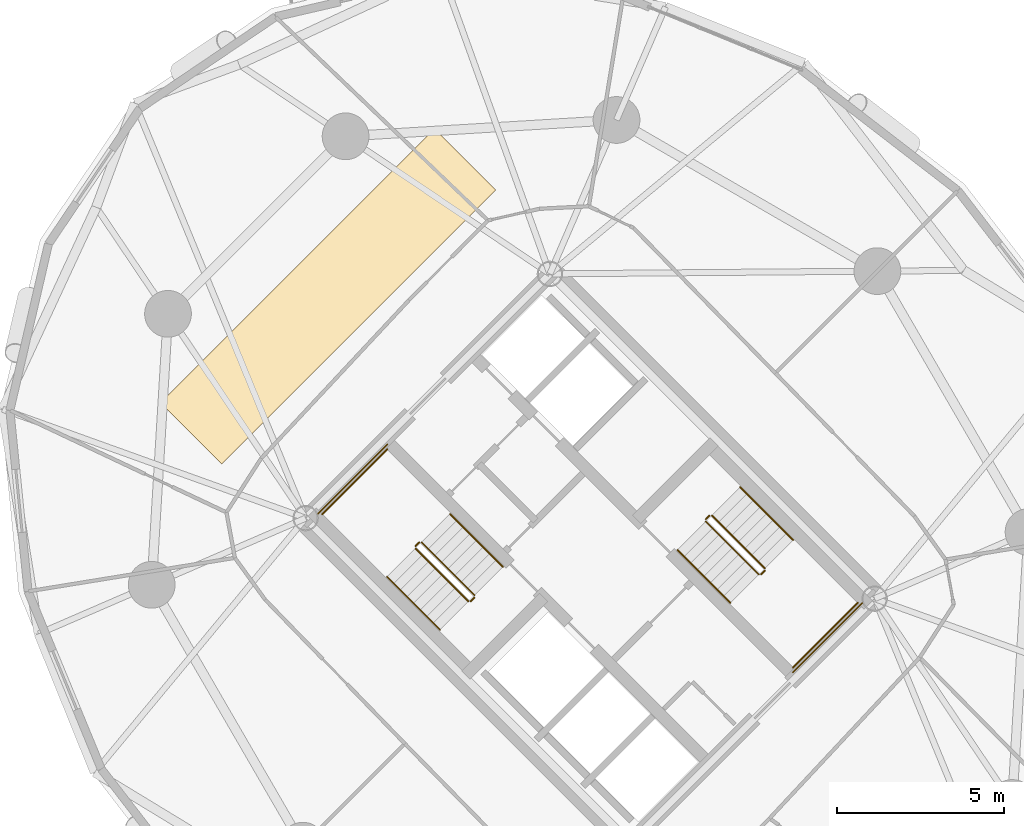
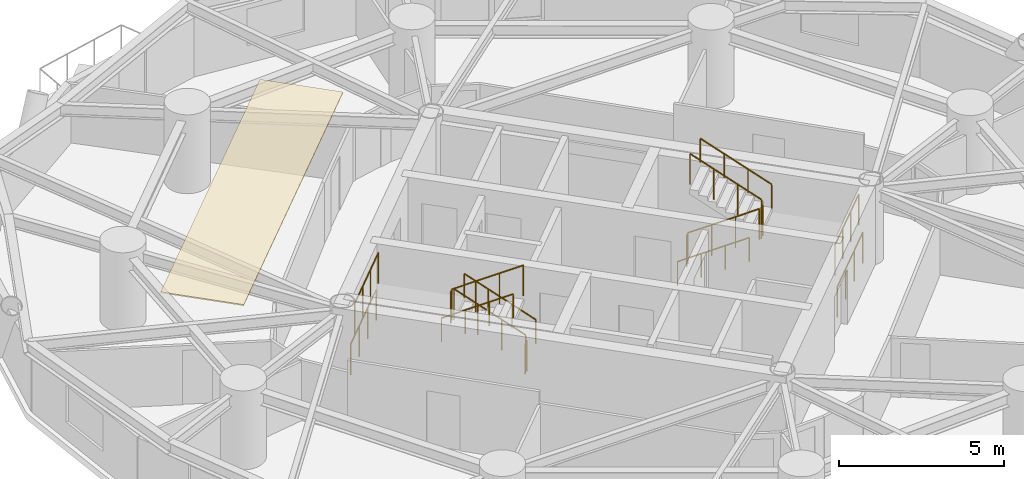
# One storey, part 16 of 17: 16 railings, 1 covering.
"""IFC4 building model written with IfcOpenShell, lengths in metres."""

from ifc_helpers import new_model, si_unit, direction, frame, origin, origin_2d, place, context, subcontext, project, spatial, polyline, circle, outline, extrude, material, layer, layer_set, type_object, element, save


model = new_model("IFC4")

# Units and contexts
model_context = context("Model", 3, precision=1e-05, world=origin(), true_north=direction((0.0, 1.0)))
body_context = subcontext(model_context, "Body", "Model", "MODEL_VIEW")
ifc_project = project(units=[si_unit("LENGTHUNIT", "METRE"), si_unit("AREAUNIT", "SQUARE_METRE"), si_unit("VOLUMEUNIT", "CUBIC_METRE"), si_unit("PLANEANGLEUNIT", "RADIAN"), si_unit("MASSUNIT", "GRAM", prefix="KILO")], contexts=[model_context])

# Site, building, storey
site_placement = place(None, origin())
site = spatial("IfcSite", under=ifc_project, at=site_placement, CompositionType="ELEMENT")
building_placement = place(site_placement, origin())
building = spatial("IfcBuilding", under=site, at=building_placement, Name="Cununo Teusaquillo Station Towers", CompositionType="ELEMENT")
storey_placement = place(building_placement, frame((0.0, 0.0, 96.340087890625)))
storey = spatial("IfcBuildingStorey", under=building, at=storey_placement, Name="L30", CompositionType="ELEMENT", Elevation=96.340087890625)

# Covering
ifc_material_1 = material(Name="Mineral-fibre acoustic suspended ceiling tile", Category="finish")
ifc_layer = layer(ifc_material_1, 0.044921875)
ifc_layer_set = layer_set([ifc_layer], Name="Mineral-fibre acoustic suspended ceiling tile")
covering_type = type_object("IfcCoveringType", Name="COV-CEIL-600", PredefinedType="CEILING", material=ifc_layer_set)
covering_placement = place(storey_placement, frame((0.0, 0.0, 2.625)))
element("IfcCovering", 1, at=covering_placement, inside=storey, type_object=covering_type, Name="L30 Tower B Acoustic Ceiling", PredefinedType="CEILING", context=body_context, shape_type="SweptSolid", body=[
    extrude(outline(polyline([(52.8330078125, 37.369384765625), (54.671630859375, 35.531005859375), (46.468994140625, 27.328369140625), (44.630615234375, 29.1669921875), (52.8330078125, 37.369384765625)])), origin(), (0.0, 0.0, 1.0), 0.044921875),
])

# Railings
ifc_material_2 = material(Name="Steel EN 10025-2 S355J2", Category="steel")
railing_type_1 = type_object("IfcRailingType", Name="RL-INT-GUARD", PredefinedType="GUARDRAIL", material=ifc_material_2)
railing_1_placement = place(storey_placement, frame((54.03515625, 23.39697265625, 0.16162109375)))
element("IfcRailing", 2, at=railing_1_placement, inside=storey, type_object=railing_type_1, Name="L30 ST-T2-1 stair guard 1", PredefinedType="GUARDRAIL", context=body_context, shape_type="SweptSolid", body=[
    extrude(circle(Radius=0.02392578125, at=origin_2d()), frame((0.0, 0.0, 1.1259765625), z_axis=(-0.612361259024, 0.612361259024, 0.500027376144), x_axis=(-0.707106781187, -0.707106781187, 0.0)), (0.0, 0.0, 1.0), 2.586181640625),
    extrude(circle(Radius=0.02099609375, at=origin_2d()), origin(), (0.0, 0.0, 1.0), 1.101806640625),
    extrude(circle(Radius=0.02099609375, at=origin_2d()), frame((-0.52783203125, 0.52783203125, 0.43115234375)), (0.0, 0.0, 1.0), 1.101806640625),
    extrude(circle(Radius=0.02099609375, at=origin_2d()), frame((-1.055908203125, 1.055908203125, 0.862060546875)), (0.0, 0.0, 1.0), 1.101806640625),
    extrude(circle(Radius=0.02099609375, at=origin_2d()), frame((-1.583740234375, 1.583740234375, 1.293212890625)), (0.0, 0.0, 1.0), 1.101806640625),
])
railing_2_placement = place(storey_placement, frame((52.380615234375, 24.980712890625, 1.454833984375)))
element("IfcRailing", 3, at=railing_2_placement, inside=storey, type_object=railing_type_1, Name="L30 ST-T2-1 stair guard 2", PredefinedType="GUARDRAIL", context=body_context, shape_type="SweptSolid", body=[
    extrude(circle(Radius=0.02392578125, at=origin_2d()), frame((0.0, 0.0, 1.1259765625), z_axis=(-0.7078691598, -0.706343579714, 0.0), x_axis=(0.706343579714, -0.7078691598, 0.0)), (0.0, 0.0, 1.0), 0.159912109375),
    extrude(circle(Radius=0.02099609375, at=origin_2d()), origin(), (0.0, 0.0, 1.0), 1.101806640625),
    extrude(circle(Radius=0.02099609375, at=origin_2d()), frame((-0.11328125, -0.113037109375, 0.0)), (0.0, 0.0, 1.0), 1.101806640625),
])
railing_3_placement = place(storey_placement, frame((51.426025390625, 27.77392578125, 1.454833984375)))
element("IfcRailing", 4, at=railing_3_placement, inside=storey, type_object=railing_type_1, Name="L30 ST-T2-1 stair guard 3", PredefinedType="GUARDRAIL", context=body_context, shape_type="SweptSolid", body=[
    extrude(circle(Radius=0.02392578125, at=origin_2d()), frame((0.0, 0.0, 1.1259765625), z_axis=(-0.707106781187, -0.707106781187, 0.0), x_axis=(0.707106781187, -0.707106781187, 0.0)), (0.0, 0.0, 1.0), 2.760009765625),
    extrude(circle(Radius=0.02099609375, at=origin_2d()), origin(), (0.0, 0.0, 1.0), 1.101806640625),
    extrude(circle(Radius=0.02099609375, at=origin_2d()), frame((-0.650634765625, -0.650634765625, 0.0)), (0.0, 0.0, 1.0), 1.101806640625),
    extrude(circle(Radius=0.02099609375, at=origin_2d()), frame((-1.301025390625, -1.301025390625, 0.0)), (0.0, 0.0, 1.0), 1.101806640625),
    extrude(circle(Radius=0.02099609375, at=origin_2d()), frame((-1.95166015625, -1.95166015625, 0.0)), (0.0, 0.0, 1.0), 1.101806640625),
])
railing_4_placement = place(storey_placement, frame((52.267333984375, 24.796875, 1.61669921875)))
element("IfcRailing", 5, at=railing_4_placement, inside=storey, type_object=railing_type_1, Name="L30 ST-T2-1 stair guard 4", PredefinedType="GUARDRAIL", context=body_context, shape_type="SweptSolid", body=[
    extrude(circle(Radius=0.02392578125, at=origin_2d()), frame((0.0, 0.0, 1.1259765625), z_axis=(0.612420254088, -0.612325861324, 0.499998471934), x_axis=(0.707052281454, 0.707161276719, 0.0)), (0.0, 0.0, 1.0), 2.58642578125),
    extrude(circle(Radius=0.02099609375, at=origin_2d()), origin(), (0.0, 0.0, 1.0), 1.101806640625),
    extrude(circle(Radius=0.02099609375, at=origin_2d()), frame((0.528076171875, -0.52783203125, 0.43115234375)), (0.0, 0.0, 1.0), 1.101806640625),
    extrude(circle(Radius=0.02099609375, at=origin_2d()), frame((1.055908203125, -1.055908203125, 0.862060546875)), (0.0, 0.0, 1.0), 1.101806640625),
    extrude(circle(Radius=0.02099609375, at=origin_2d()), frame((1.583984375, -1.583740234375, 1.293212890625)), (0.0, 0.0, 1.0), 1.101806640625),
])
railing_5_placement = place(storey_placement, frame((54.03515625, 23.326171875, 0.0)))
element("IfcRailing", 6, at=railing_5_placement, inside=storey, type_object=railing_type_1, Name="L30 ST-T2-1 stair guard 5", PredefinedType="GUARDRAIL", context=body_context, shape_type="SweptSolid", body=[
    extrude(circle(Radius=0.02392578125, at=origin_2d()), frame((0.0, 0.0, 1.1259765625), z_axis=(-0.707106781187, -0.707106781187, 0.0), x_axis=(0.707106781187, -0.707106781187, 0.0)), (0.0, 0.0, 1.0), 0.159912109375),
    extrude(circle(Radius=0.02099609375, at=origin_2d()), origin(), (0.0, 0.0, 1.0), 1.101806640625),
    extrude(circle(Radius=0.02099609375, at=origin_2d()), frame((-0.113037109375, -0.113037109375, 0.0)), (0.0, 0.0, 1.0), 1.101806640625),
])
railing_6_placement = place(storey_placement, frame((51.426025390625, 27.915283203125, 0.0)))
element("IfcRailing", 7, at=railing_6_placement, inside=storey, type_object=railing_type_1, Name="L30 ST-T2-1 stair guard 6", PredefinedType="GUARDRAIL", context=body_context, shape_type="SweptSolid", body=[
    extrude(circle(Radius=0.02392578125, at=origin_2d()), frame((0.0, 0.0, 1.1259765625), z_axis=(-0.707106781187, -0.707106781187, 0.0), x_axis=(0.707106781187, -0.707106781187, 0.0)), (0.0, 0.0, 1.0), 2.9599609375),
    extrude(circle(Radius=0.02099609375, at=origin_2d()), origin(), (0.0, 0.0, 1.0), 1.101806640625),
    extrude(circle(Radius=0.02099609375, at=origin_2d()), frame((-0.69775390625, -0.69775390625, 0.0)), (0.0, 0.0, 1.0), 1.101806640625),
    extrude(circle(Radius=0.02099609375, at=origin_2d()), frame((-1.395263671875, -1.395263671875, 0.0)), (0.0, 0.0, 1.0), 1.101806640625),
    extrude(circle(Radius=0.02099609375, at=origin_2d()), frame((-2.093017578125, -2.093017578125, 0.0)), (0.0, 0.0, 1.0), 1.101806640625),
])
railing_7_placement = place(storey_placement, frame((60.96484375, 25.60302734375, 0.16162109375)))
element("IfcRailing", 8, at=railing_7_placement, inside=storey, type_object=railing_type_1, Name="L30 ST-T2-2 stair guard 1", PredefinedType="GUARDRAIL", context=body_context, shape_type="SweptSolid", body=[
    extrude(circle(Radius=0.02392578125, at=origin_2d()), frame((0.0, 0.0, 1.1259765625), z_axis=(0.612361259024, -0.612361259024, 0.500027376144), x_axis=(0.707106781187, 0.707106781187, 0.0)), (0.0, 0.0, 1.0), 2.586181640625),
    extrude(circle(Radius=0.02099609375, at=origin_2d()), origin(), (0.0, 0.0, 1.0), 1.101806640625),
    extrude(circle(Radius=0.02099609375, at=origin_2d()), frame((0.52783203125, -0.52783203125, 0.43115234375)), (0.0, 0.0, 1.0), 1.101806640625),
    extrude(circle(Radius=0.02099609375, at=origin_2d()), frame((1.055908203125, -1.055908203125, 0.862060546875)), (0.0, 0.0, 1.0), 1.101806640625),
    extrude(circle(Radius=0.02099609375, at=origin_2d()), frame((1.583740234375, -1.583740234375, 1.293212890625)), (0.0, 0.0, 1.0), 1.101806640625),
])
railing_8_placement = place(storey_placement, frame((62.619384765625, 24.019287109375, 1.454833984375)))
element("IfcRailing", 9, at=railing_8_placement, inside=storey, type_object=railing_type_1, Name="L30 ST-T2-2 stair guard 2", PredefinedType="GUARDRAIL", context=body_context, shape_type="SweptSolid", body=[
    extrude(circle(Radius=0.02392578125, at=origin_2d()), frame((0.0, 0.0, 1.1259765625), z_axis=(0.7078691598, 0.706343579714, 0.0), x_axis=(-0.706343579714, 0.7078691598, 0.0)), (0.0, 0.0, 1.0), 0.159912109375),
    extrude(circle(Radius=0.02099609375, at=origin_2d()), origin(), (0.0, 0.0, 1.0), 1.101806640625),
    extrude(circle(Radius=0.02099609375, at=origin_2d()), frame((0.11328125, 0.113037109375, 0.0)), (0.0, 0.0, 1.0), 1.101806640625),
])
railing_9_placement = place(storey_placement, frame((63.573974609375, 21.22607421875, 1.454833984375)))
element("IfcRailing", 10, at=railing_9_placement, inside=storey, type_object=railing_type_1, Name="L30 ST-T2-2 stair guard 3", PredefinedType="GUARDRAIL", context=body_context, shape_type="SweptSolid", body=[
    extrude(circle(Radius=0.02392578125, at=origin_2d()), frame((0.0, 0.0, 1.1259765625), z_axis=(0.707106781187, 0.707106781187, 0.0), x_axis=(-0.707106781187, 0.707106781187, 0.0)), (0.0, 0.0, 1.0), 2.760009765625),
    extrude(circle(Radius=0.02099609375, at=origin_2d()), origin(), (0.0, 0.0, 1.0), 1.101806640625),
    extrude(circle(Radius=0.02099609375, at=origin_2d()), frame((0.650634765625, 0.650634765625, 0.0)), (0.0, 0.0, 1.0), 1.101806640625),
    extrude(circle(Radius=0.02099609375, at=origin_2d()), frame((1.301025390625, 1.301025390625, 0.0)), (0.0, 0.0, 1.0), 1.101806640625),
    extrude(circle(Radius=0.02099609375, at=origin_2d()), frame((1.95166015625, 1.95166015625, 0.0)), (0.0, 0.0, 1.0), 1.101806640625),
])
railing_10_placement = place(storey_placement, frame((62.732666015625, 24.203125, 1.61669921875)))
element("IfcRailing", 11, at=railing_10_placement, inside=storey, type_object=railing_type_1, Name="L30 ST-T2-2 stair guard 4", PredefinedType="GUARDRAIL", context=body_context, shape_type="SweptSolid", body=[
    extrude(circle(Radius=0.02392578125, at=origin_2d()), frame((0.0, 0.0, 1.1259765625), z_axis=(-0.612420254088, 0.612325861324, 0.499998471934), x_axis=(-0.707052281454, -0.707161276719, 0.0)), (0.0, 0.0, 1.0), 2.58642578125),
    extrude(circle(Radius=0.02099609375, at=origin_2d()), origin(), (0.0, 0.0, 1.0), 1.101806640625),
    extrude(circle(Radius=0.02099609375, at=origin_2d()), frame((-0.528076171875, 0.52783203125, 0.43115234375)), (0.0, 0.0, 1.0), 1.101806640625),
    extrude(circle(Radius=0.02099609375, at=origin_2d()), frame((-1.055908203125, 1.055908203125, 0.862060546875)), (0.0, 0.0, 1.0), 1.101806640625),
    extrude(circle(Radius=0.02099609375, at=origin_2d()), frame((-1.583984375, 1.583740234375, 1.293212890625)), (0.0, 0.0, 1.0), 1.101806640625),
])
railing_11_placement = place(storey_placement, frame((60.96484375, 25.673828125, 0.0)))
element("IfcRailing", 12, at=railing_11_placement, inside=storey, type_object=railing_type_1, Name="L30 ST-T2-2 stair guard 5", PredefinedType="GUARDRAIL", context=body_context, shape_type="SweptSolid", body=[
    extrude(circle(Radius=0.02392578125, at=origin_2d()), frame((0.0, 0.0, 1.1259765625), z_axis=(0.707106781187, 0.707106781187, 0.0), x_axis=(-0.707106781187, 0.707106781187, 0.0)), (0.0, 0.0, 1.0), 0.159912109375),
    extrude(circle(Radius=0.02099609375, at=origin_2d()), origin(), (0.0, 0.0, 1.0), 1.101806640625),
    extrude(circle(Radius=0.02099609375, at=origin_2d()), frame((0.113037109375, 0.113037109375, 0.0)), (0.0, 0.0, 1.0), 1.101806640625),
])
railing_12_placement = place(storey_placement, frame((63.573974609375, 21.084716796875, 0.0)))
element("IfcRailing", 13, at=railing_12_placement, inside=storey, type_object=railing_type_1, Name="L30 ST-T2-2 stair guard 6", PredefinedType="GUARDRAIL", context=body_context, shape_type="SweptSolid", body=[
    extrude(circle(Radius=0.02392578125, at=origin_2d()), frame((0.0, 0.0, 1.1259765625), z_axis=(0.707106781187, 0.707106781187, 0.0), x_axis=(-0.707106781187, 0.707106781187, 0.0)), (0.0, 0.0, 1.0), 2.9599609375),
    extrude(circle(Radius=0.02099609375, at=origin_2d()), origin(), (0.0, 0.0, 1.0), 1.101806640625),
    extrude(circle(Radius=0.02099609375, at=origin_2d()), frame((0.69775390625, 0.69775390625, 0.0)), (0.0, 0.0, 1.0), 1.101806640625),
    extrude(circle(Radius=0.02099609375, at=origin_2d()), frame((1.395263671875, 1.395263671875, 0.0)), (0.0, 0.0, 1.0), 1.101806640625),
    extrude(circle(Radius=0.02099609375, at=origin_2d()), frame((2.093017578125, 2.093017578125, 0.0)), (0.0, 0.0, 1.0), 1.101806640625),
])
ifc_material_3 = material(Name="Steel EN 10025-2 S355J2", Category="steel")
railing_type_2 = type_object("IfcRailingType", Name="RL-INT-HRAIL", PredefinedType="HANDRAIL", material=ifc_material_3)
railing_13_placement = place(storey_placement, frame((54.8837890625, 24.245361328125, 0.16162109375)))
element("IfcRailing", 14, at=railing_13_placement, inside=storey, type_object=railing_type_2, Name="L30 ST-T2-1 stair handrail 1", PredefinedType="HANDRAIL", context=body_context, shape_type="SweptSolid", body=[
    extrude(circle(Radius=0.02392578125, at=origin_2d()), frame((0.0, 0.0, 0.8759765625), z_axis=(-0.612384857071, 0.612384857071, 0.499969572735), x_axis=(-0.707106781187, -0.707106781187, 0.0)), (0.0, 0.0, 1.0), 2.586669921875),
    extrude(circle(Radius=0.02099609375, at=origin_2d()), origin(), (0.0, 0.0, 1.0), 0.851806640625),
    extrude(circle(Radius=0.02099609375, at=origin_2d()), frame((-0.528076171875, 0.528076171875, 0.43115234375)), (0.0, 0.0, 1.0), 0.851806640625),
    extrude(circle(Radius=0.02099609375, at=origin_2d()), frame((-1.055908203125, 1.055908203125, 0.862060546875)), (0.0, 0.0, 1.0), 0.851806640625),
    extrude(circle(Radius=0.02099609375, at=origin_2d()), frame((-1.583984375, 1.583984375, 1.293212890625)), (0.0, 0.0, 1.0), 0.851806640625),
])
for number, where, name in (
    (15, (51.4189453125, 23.948486328125, 1.61669921875), "L30 ST-T2-1 stair handrail 2"),
    (16, (60.1162109375, 24.754638671875, 0.16162109375), "L30 ST-T2-2 stair handrail 1"),
):
    element("IfcRailing", number, at=place(storey_placement, frame(where)), inside=storey, type_object=railing_type_2, Name=name, PredefinedType="HANDRAIL", context=body_context, shape_type="SweptSolid", body=[
        extrude(circle(Radius=0.02392578125, at=origin_2d()), frame((0.0, 0.0, 0.8759765625), z_axis=(0.612384857071, -0.612384857071, 0.499969572735), x_axis=(0.707106781187, 0.707106781187, 0.0)), (0.0, 0.0, 1.0), 2.586669921875),
        extrude(circle(Radius=0.02099609375, at=origin_2d()), origin(), (0.0, 0.0, 1.0), 0.851806640625),
        extrude(circle(Radius=0.02099609375, at=origin_2d()), frame((0.528076171875, -0.528076171875, 0.43115234375)), (0.0, 0.0, 1.0), 0.851806640625),
        extrude(circle(Radius=0.02099609375, at=origin_2d()), frame((1.055908203125, -1.055908203125, 0.862060546875)), (0.0, 0.0, 1.0), 0.851806640625),
        extrude(circle(Radius=0.02099609375, at=origin_2d()), frame((1.583984375, -1.583984375, 1.293212890625)), (0.0, 0.0, 1.0), 0.851806640625),
    ])
railing_14_placement = place(storey_placement, frame((63.5810546875, 25.051513671875, 1.61669921875)))
element("IfcRailing", 17, at=railing_14_placement, inside=storey, type_object=railing_type_2, Name="L30 ST-T2-2 stair handrail 2", PredefinedType="HANDRAIL", context=body_context, shape_type="SweptSolid", body=[
    extrude(circle(Radius=0.02392578125, at=origin_2d()), frame((0.0, 0.0, 0.8759765625), z_axis=(-0.612384857071, 0.612384857071, 0.499969572735), x_axis=(-0.707106781187, -0.707106781187, 0.0)), (0.0, 0.0, 1.0), 2.586669921875),
    extrude(circle(Radius=0.02099609375, at=origin_2d()), origin(), (0.0, 0.0, 1.0), 0.851806640625),
    extrude(circle(Radius=0.02099609375, at=origin_2d()), frame((-0.528076171875, 0.528076171875, 0.43115234375)), (0.0, 0.0, 1.0), 0.851806640625),
    extrude(circle(Radius=0.02099609375, at=origin_2d()), frame((-1.055908203125, 1.055908203125, 0.862060546875)), (0.0, 0.0, 1.0), 0.851806640625),
    extrude(circle(Radius=0.02099609375, at=origin_2d()), frame((-1.583984375, 1.583984375, 1.293212890625)), (0.0, 0.0, 1.0), 0.851806640625),
])

save(model, "model.ifc")
